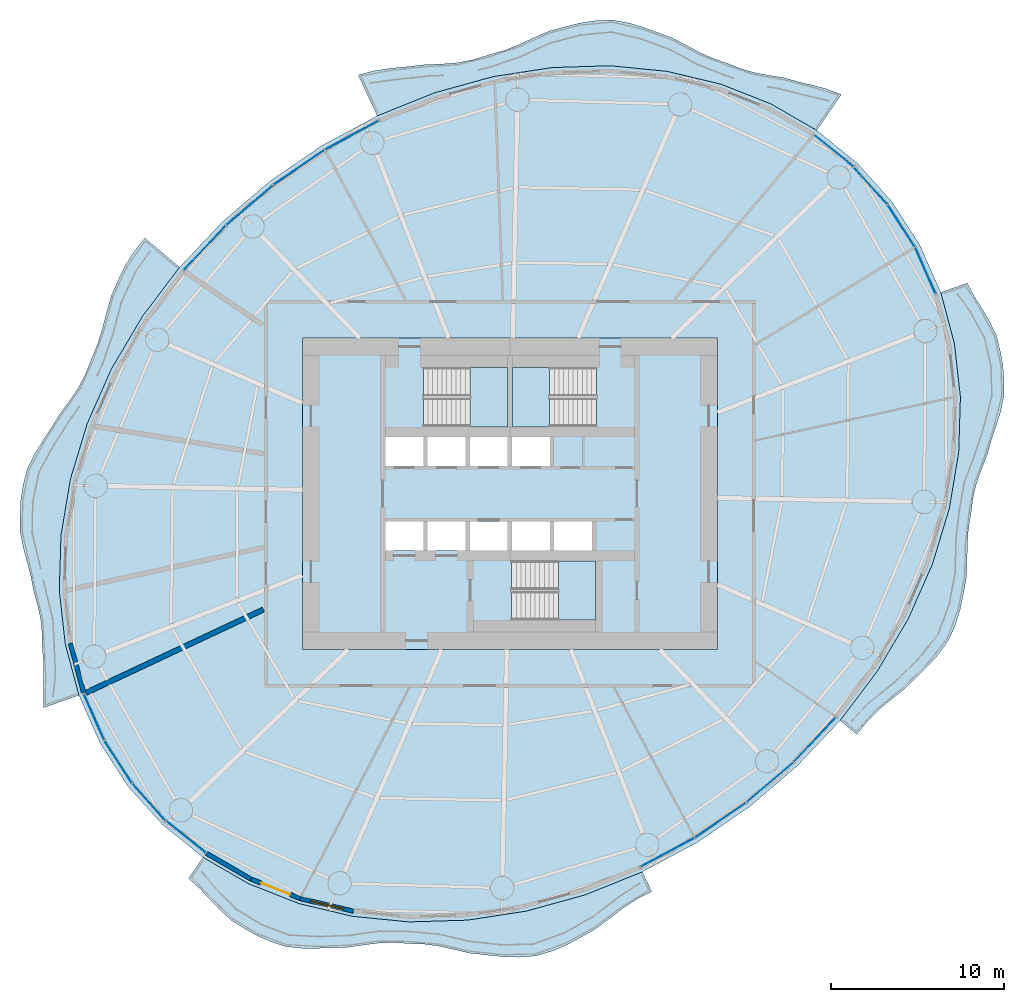
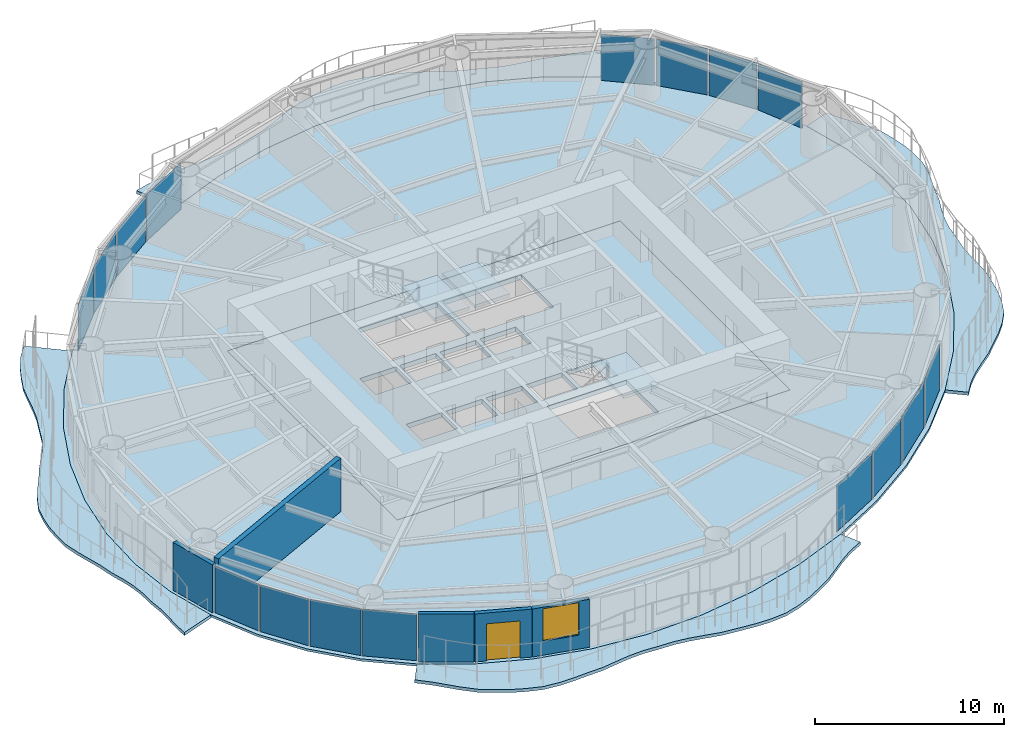
# One storey, part 7 of 15: 16 plates, 9 slabs, 5 walls, 1 door, 1 window, 2 openings, 19 elements without a shape of their own.
"""IFC4 building model written with IfcOpenShell, lengths in metres."""

import ifcopenshell
import ifcopenshell.guid

model = None  # the IFC model being written
_history = None  # IfcOwnerHistory: only IFC2X3 demands one
_inside = {}  # id of a spatial element -> (the spatial element, [elements in it])
_under = {}  # id of a project, library or spatial element -> (it, [spatial elements below it])
_declared = {}  # id of a project -> (the project, [libraries it declares])
_typed = {}  # id of a type object -> (the type object, [elements of that type])
_made_of = {}  # id of a material, layer set ... -> (it, [elements and type objects made of it])


def new_model(schema):
    """Start an empty IFC model of exactly this schema.

    Asked for "IFC4X3", IfcOpenShell would pick the latest addendum, in which some entities
    have other attributes; the version numbers below select the first issue.
    IFC2X3 requires an IfcOwnerHistory on every rooted entity: one is made here for all.
    """
    global model, _history
    if schema == "IFC4X3":
        model = ifcopenshell.file(schema_version=(4, 3, 0, 0))
    else:
        model = ifcopenshell.file(schema=schema)
    _inside.clear()
    _under.clear()
    _declared.clear()
    _typed.clear()
    _made_of.clear()
    _history = None
    if model.schema == "IFC2X3":
        org = make("IfcOrganization", Name="unknown")
        user = make(
            "IfcPersonAndOrganization",
            ThePerson=make("IfcPerson", FamilyName="unknown"),
            TheOrganization=org,
        )
        app = make(
            "IfcApplication",
            ApplicationDeveloper=org,
            Version="unknown",
            ApplicationFullName="unknown",
            ApplicationIdentifier="unknown",
        )
        _history = make(
            "IfcOwnerHistory",
            OwningUser=user,
            OwningApplication=app,
            ChangeAction="ADDED",
            CreationDate=0,
        )
    return model


def make(cls, **values):
    """One entity of the class cls with the attributes given. An attribute that is None is left unset."""
    return model.create_entity(
        cls, **{name: value for name, value in values.items() if value is not None}
    )


def rooted(cls, **values):
    """An entity with a GlobalId (a new one), such as an element, a storey or a relation."""
    return make(cls, GlobalId=ifcopenshell.guid.new(), OwnerHistory=_history, **values)


def si_unit(unit_type, name, prefix=None):
    """IfcSIUnit, for example si_unit("LENGTHUNIT", "METRE", prefix="MILLI")."""
    return make("IfcSIUnit", UnitType=unit_type, Prefix=prefix, Name=name)


def assignment(units):
    """IfcUnitAssignment: the units of a project."""
    return None if units is None else make("IfcUnitAssignment", Units=units)


def point(xyz):
    """IfcCartesianPoint."""
    return None if xyz is None else make("IfcCartesianPoint", Coordinates=xyz)


def direction(xyz):
    """IfcDirection."""
    return None if xyz is None else make("IfcDirection", DirectionRatios=xyz)


def frame(location, z_axis=None, x_axis=None):
    """IfcAxis2Placement3D, a coordinate frame: its origin and axes. An axis left out is left unset."""
    return make(
        "IfcAxis2Placement3D",
        Location=point(location),
        Axis=direction(z_axis),
        RefDirection=direction(x_axis),
    )


def frame_2d(location, x_axis=None):
    """IfcAxis2Placement2D, a coordinate frame in the plane: its origin and x axis."""
    return make(
        "IfcAxis2Placement2D", Location=point(location), RefDirection=direction(x_axis)
    )


def origin():
    """The frame at (0, 0, 0) with its axes left unset."""
    return frame((0.0, 0.0, 0.0))


def origin_2d():
    """The frame at (0, 0) in the plane with its x axis left unset."""
    return frame_2d((0.0, 0.0))


def place(relative_to, where):
    """IfcLocalPlacement: puts the frame where relative to a parent placement (None: the world)."""
    return make(
        "IfcLocalPlacement", PlacementRelTo=relative_to, RelativePlacement=where
    )


def context(
    kind, dimensions, precision=None, world=None, true_north=None, identifier=None
):
    """IfcGeometricRepresentationContext, for example the 3D "Model" context."""
    return make(
        "IfcGeometricRepresentationContext",
        ContextIdentifier=identifier,
        ContextType=kind,
        CoordinateSpaceDimension=dimensions,
        Precision=precision,
        WorldCoordinateSystem=world,
        TrueNorth=true_north,
    )


def subcontext(parent, identifier, kind, view, scale=None):
    """IfcGeometricRepresentationSubContext, for example "Body" below "Model"."""
    return make(
        "IfcGeometricRepresentationSubContext",
        ContextIdentifier=identifier,
        ContextType=kind,
        ParentContext=parent,
        TargetScale=scale,
        TargetView=view,
    )


def project(units=None, contexts=None):
    """IfcProject with its units and contexts."""
    return rooted(
        "IfcProject",
        Name="project",
        RepresentationContexts=contexts,
        UnitsInContext=assignment(units),
    )


def spatial(cls, under=None, at=None, **own):
    """A site, building, storey or space (cls), placed at a placement, below another one or the project."""
    s = rooted(cls, ObjectPlacement=at, **own)
    if under is not None:
        _under.setdefault(under.id(), (under, []))[1].append(s)
    return s


def polyline(points):
    """IfcPolyline through the points."""
    return make("IfcPolyline", Points=[point(p) for p in points])


def profile(cls, at=None, kind="AREA", **sizes):
    """A parametric profile (cls). Its sizes go by their IFC names, for example OverallWidth=200.0."""
    return make(cls, ProfileType=kind, Position=at, **sizes)


def rectangle(**sizes):
    """IfcRectangleProfileDef."""
    return profile("IfcRectangleProfileDef", **sizes)


def outline(outer, holes=None, kind="AREA"):
    """IfcArbitraryClosedProfileDef: a profile drawn as a closed curve; with holes, ...WithVoids."""
    if holes is None:
        return make("IfcArbitraryClosedProfileDef", ProfileType=kind, OuterCurve=outer)
    return make(
        "IfcArbitraryProfileDefWithVoids",
        ProfileType=kind,
        OuterCurve=outer,
        InnerCurves=holes,
    )


def extrude(swept, where, along, depth):
    """IfcExtrudedAreaSolid: the profile swept, set in the frame where, extruded along a direction by depth."""
    return make(
        "IfcExtrudedAreaSolid",
        SweptArea=swept,
        Position=where,
        ExtrudedDirection=direction(along),
        Depth=depth,
    )


def shape(context_of_items, identifier, shape_type, items):
    """IfcShapeRepresentation: the items that make up one representation, for example the "Body"."""
    return make(
        "IfcShapeRepresentation",
        ContextOfItems=context_of_items,
        RepresentationIdentifier=identifier,
        RepresentationType=shape_type,
        Items=items,
    )


def material(Name=None, Category=None):
    """IfcMaterial."""
    return make("IfcMaterial", Name=Name, Category=Category)


def layer(
    of_material, thickness, ventilated=None, Name=None, Category=None, Priority=None
):
    """IfcMaterialLayer: one layer of a wall or slab, of a material (None: an air gap)."""
    return make(
        "IfcMaterialLayer",
        Material=of_material,
        LayerThickness=thickness,
        IsVentilated=ventilated,
        Name=Name,
        Category=Category,
        Priority=Priority,
    )


def layer_set(layers, Name=None):
    """IfcMaterialLayerSet."""
    return make("IfcMaterialLayerSet", MaterialLayers=layers, LayerSetName=Name)


def made_of(thing, what):
    """Note that an element or type object is made of a material, layer set ...; save() writes the relation."""
    if what is not None:
        _made_of.setdefault(what.id(), (what, []))[1].append(thing)
    return thing


def type_object(cls, material=None, **own):
    """A type object (cls), such as IfcWallType, which elements share."""
    return made_of(rooted(cls, **own), material)


def element(
    cls,
    number,
    at=None,
    inside=None,
    cuts=None,
    type_object=None,
    material=None,
    context=None,
    identifier="Body",
    shape_type=None,
    held_by="IfcProductDefinitionShape",
    body=None,
    shapes=None,
    **own,
):
    """One element of the class cls, such as IfcWall. Its Tag is "e" and its number.

    at: its placement. inside: the storey or other place that contains it. cuts: it is an
    opening in that element (IfcRelVoidsElement). A single representation is given by context,
    identifier, shape_type and body (its items); several are given by shapes. held_by: the class
    of the entity that holds the representations. save() writes the other relations.
    """
    e = rooted(cls, Tag="e%d" % number, ObjectPlacement=at, **own)
    if body is not None:
        shapes = [shape(context, identifier, shape_type, body)]
    if shapes is not None:
        e.Representation = make(held_by, Representations=shapes)
    if inside is not None:
        _inside.setdefault(inside.id(), (inside, []))[1].append(e)
    if cuts is not None:
        rooted(
            "IfcRelVoidsElement", RelatingBuildingElement=cuts, RelatedOpeningElement=e
        )
    if type_object is not None:
        _typed.setdefault(type_object.id(), (type_object, []))[1].append(e)
    return made_of(e, material)


def fill(opening, filler):
    """IfcRelFillsElement: the door or window that sits in an opening."""
    return rooted(
        "IfcRelFillsElement",
        RelatingOpeningElement=opening,
        RelatedBuildingElement=filler,
    )


def aggregate(whole, parts):
    """IfcRelAggregates: a whole, such as a stair, and the parts it consists of."""
    return rooted("IfcRelAggregates", RelatingObject=whole, RelatedObjects=parts)


def save(model, path):
    """Write the relations noted so far, then the file.

    IfcRelAggregates (storeys below a building ...), IfcRelContainedInSpatialStructure (elements
    in a storey), IfcRelDefinesByType, IfcRelAssociatesMaterial and IfcRelDeclares: one each for
    every whole, place, type object, material and project.
    """
    for whole, parts in _under.values():
        aggregate(whole, parts)
    for where, things in _inside.values():
        rooted(
            "IfcRelContainedInSpatialStructure",
            RelatedElements=things,
            RelatingStructure=where,
        )
    for kind, things in _typed.values():
        rooted("IfcRelDefinesByType", RelatedObjects=things, RelatingType=kind)
    for what, things in _made_of.values():
        rooted("IfcRelAssociatesMaterial", RelatedObjects=things, RelatingMaterial=what)
    for by, libraries in _declared.values():
        rooted("IfcRelDeclares", RelatingContext=by, RelatedDefinitions=libraries)
    model.write(path)


model = new_model("IFC4")

# Units and contexts
model_context = context("Model", 3, precision=1e-05, world=origin(), true_north=direction((0.0, 1.0)))
body_context = subcontext(model_context, "Body", "Model", "MODEL_VIEW")
ifc_project = project(units=[si_unit("LENGTHUNIT", "METRE"), si_unit("AREAUNIT", "SQUARE_METRE"), si_unit("VOLUMEUNIT", "CUBIC_METRE"), si_unit("PLANEANGLEUNIT", "RADIAN"), si_unit("MASSUNIT", "GRAM", prefix="KILO")], contexts=[model_context])

# Site, building, storey
site_placement = place(None, origin())
site = spatial("IfcSite", under=ifc_project, at=site_placement, CompositionType="ELEMENT")
building_placement = place(site_placement, origin())
building = spatial("IfcBuilding", under=site, at=building_placement, Name="Vermilion Reach Broadcast Tower", CompositionType="ELEMENT")
storey_placement = place(building_placement, frame((0.0, 0.0, 183.0)))
storey = spatial("IfcBuildingStorey", under=building, at=storey_placement, Name="L44", CompositionType="ELEMENT", Elevation=183.0)

# Slabs
ifc_material_1 = material(Name="Concrete C40/50", Category="concrete")
ifc_layer_1 = layer(ifc_material_1, 0.199951171875)
ifc_layer_set_1 = layer_set([ifc_layer_1], Name="Balcony slab 200")
slab_type_1 = type_object("IfcSlabType", Name="Balcony slab 200", PredefinedType="FLOOR", material=ifc_layer_set_1)
placement_1 = place(storey_placement, frame((0.0, 0.0, -0.199951171875)))
element("IfcSlab", 1, at=placement_1, inside=storey, type_object=slab_type_1, Name="Balcony slab L44 group 1", PredefinedType="FLOOR", context=body_context, shape_type="SweptSolid", body=[
    extrude(outline(polyline([(11.749267578125, 21.021240234375), (9.103759765625, 22.552001953125), (6.199951171875, 23.697021484375), (3.08740234375, 24.436767578125), (-0.1806640625, 24.758056640625), (-3.54833984375, 24.656005859375), (-6.957763671875, 24.1318359375), (-10.35107421875, 23.195068359375), (-13.669677734375, 21.861083984375), (-14.775634765625, 24.228515625), (-13.760986328125, 24.486083984375), (-12.850341796875, 24.61767578125), (-11.922607421875, 24.707275390625), (-10.902587890625, 24.82763671875), (-9.899169921875, 24.864990234375), (-9.00732421875, 24.941162109375), (-8.139404296875, 25.10498046875), (-7.2265625, 25.38671875), (-6.318603515625, 25.650390625), (-5.49658203125, 25.97802734375), (-4.681640625, 26.353759765625), (-3.741455078125, 26.762939453125), (-2.77734375, 27.0263671875), (-1.94091796875, 27.232666015625), (-1.102294921875, 27.362060546875), (-0.0908203125, 27.406005859375), (0.8876953125, 27.232666015625), (1.689697265625, 26.998291015625), (2.485595703125, 26.705322265625), (3.410400390625, 26.367919921875), (4.26171875, 25.91943359375), (4.9912109375, 25.529052734375), (5.73291015625, 25.191162109375), (6.5791015625, 24.903564453125), (7.387939453125, 24.58203125), (8.14208984375, 24.367431640625), (8.922119140625, 24.218505859375), (9.8388671875, 24.072998046875), (10.722412109375, 23.823486328125), (11.49951171875, 23.640625), (12.265869140625, 23.439453125), (13.1787109375, 23.102294921875), (11.749267578125, 21.021240234375)])), origin(), (0.0, 0.0, 1.0), 0.199951171875),
])
element("IfcSlab", 2, at=placement_1, inside=storey, type_object=slab_type_1, Name="Balcony slab L44 group 2", PredefinedType="FLOOR", context=body_context, shape_type="SweptSolid", body=[
    extrude(outline(polyline([(-25.103759765625, 13.1064453125), (-27.257080078125, 10.25048828125), (-29.046630859375, 7.21923828125), (-30.44189453125, 4.064453125), (-31.4189453125, 0.840087890625), (-31.961181640625, -2.398681640625), (-32.05908203125, -5.596435546875), (-31.7109375, -8.698486328125), (-30.923095703125, -11.651611328125), (-32.965576171875, -12.36962890625), (-32.9833984375, -11.410400390625), (-32.960205078125, -10.613525390625), (-32.963623046875, -9.823486328125), (-33.041015625, -8.948974609375), (-33.053955078125, -8.06396484375), (-33.13427734375, -7.28759765625), (-33.29345703125, -6.520263671875), (-33.53515625, -5.656494140625), (-33.71142578125, -4.74560546875), (-33.923828125, -3.93896484375), (-34.140380859375, -3.13232421875), (-34.3271484375, -2.16552734375), (-34.331787109375, -1.169677734375), (-34.288818359375, -0.344482421875), (-34.16015625, 0.466552734375), (-33.917724609375, 1.425048828125), (-33.46923828125, 2.34130859375), (-33.011474609375, 3.082763671875), (-32.52490234375, 3.8154296875), (-32.01220703125, 4.64697265625), (-31.424072265625, 5.441650390625), (-30.9404296875, 6.1708984375), (-30.5390625, 6.936279296875), (-30.196533203125, 7.810302734375), (-29.828125, 8.70263671875), (-29.563720703125, 9.568359375), (-29.338134765625, 10.457275390625), (-29.05712890625, 11.455078125), (-28.63525390625, 12.409423828125), (-28.232666015625, 13.225830078125), (-27.755615234375, 13.986083984375), (-27.1083984375, 14.798095703125), (-25.103759765625, 13.1064453125)])), origin(), (0.0, 0.0, 1.0), 0.199951171875),
])
element("IfcSlab", 3, at=placement_1, inside=storey, type_object=slab_type_1, Name="Balcony slab L44 group 3", PredefinedType="FLOOR", context=body_context, shape_type="SweptSolid", body=[
    extrude(outline(polyline([(-23.749267578125, -21.021240234375), (-21.103759765625, -22.552001953125), (-18.199951171875, -23.697021484375), (-15.08740234375, -24.436767578125), (-11.8193359375, -24.758056640625), (-8.45166015625, -24.656005859375), (-5.042236328125, -24.1318359375), (-1.64892578125, -23.195068359375), (1.669677734375, -21.861083984375), (2.202880859375, -23.00244140625), (1.34326171875, -23.446533203125), (0.581298828125, -23.948486328125), (-0.1572265625, -24.509033203125), (-0.992919921875, -25.136962890625), (-1.88525390625, -25.6455078125), (-2.679931640625, -26.07421875), (-3.495849609375, -26.42578125), (-4.487060546875, -26.723876953125), (-5.504150390625, -26.803955078125), (-6.381103515625, -26.774658203125), (-7.267822265625, -26.681884765625), (-8.27587890625, -26.574951171875), (-9.242919921875, -26.3544921875), (-10.09130859375, -26.16748046875), (-10.937744140625, -26.045654296875), (-11.86181640625, -26.01123046875), (-12.76171875, -25.951904296875), (-13.58984375, -25.985107421875), (-14.425048828125, -26.08837890625), (-15.38671875, -26.2265625), (-16.34033203125, -26.24951171875), (-17.171630859375, -26.2890625), (-17.993896484375, -26.2890625), (-18.981689453125, -26.18505859375), (-19.89794921875, -25.875732421875), (-20.612060546875, -25.559814453125), (-21.29833984375, -25.17236328125), (-22.123046875, -24.661376953125), (-22.828857421875, -24.007568359375), (-23.374267578125, -23.424560546875), (-23.9228515625, -22.846923828125), (-24.5859375, -22.239013671875), (-23.749267578125, -21.021240234375)])), origin(), (0.0, 0.0, 1.0), 0.199951171875),
])
element("IfcSlab", 4, at=placement_1, inside=storey, type_object=slab_type_1, Name="Balcony slab L44 group 4", PredefinedType="FLOOR", context=body_context, shape_type="SweptSolid", body=[
    extrude(outline(polyline([(13.103759765625, -13.1064453125), (15.257080078125, -10.25048828125), (17.046630859375, -7.21923828125), (18.44189453125, -4.064453125), (19.4189453125, -0.840087890625), (19.961181640625, 2.398681640625), (20.05908203125, 5.596435546875), (19.7109375, 8.698486328125), (18.923095703125, 11.651611328125), (20.451904296875, 12.18896484375), (20.893310546875, 11.386474609375), (21.314697265625, 10.7080078125), (21.7236328125, 10.0263671875), (22.144287109375, 9.156982421875), (22.3779296875, 8.21240234375), (22.517578125, 7.44287109375), (22.5771484375, 6.664306640625), (22.580322265625, 5.69873046875), (22.375732421875, 4.725341796875), (22.129638671875, 3.9326171875), (21.86279296875, 3.140625), (21.601318359375, 2.237060546875), (21.248779296875, 1.350830078125), (20.97802734375, 0.563720703125), (20.7880859375, -0.23681640625), (20.671875, -1.13330078125), (20.5205078125, -2.053955078125), (20.462646484375, -2.91650390625), (20.449462890625, -3.79248046875), (20.41259765625, -4.795654296875), (20.232421875, -5.79931640625), (20.05419921875, -6.663330078125), (19.802490234375, -7.4951171875), (19.400634765625, -8.429443359375), (18.798095703125, -9.275146484375), (18.198486328125, -9.943115234375), (17.545166015625, -10.579345703125), (16.814697265625, -11.292724609375), (16.00634765625, -11.935302734375), (15.302001953125, -12.524169921875), (14.6630859375, -13.162353515625), (14.063232421875, -13.916259765625), (13.103759765625, -13.1064453125)])), origin(), (0.0, 0.0, 1.0), 0.199951171875),
])
ifc_material_2 = material(Name="Concrete C40", Category="concrete")
ifc_layer_2 = layer(ifc_material_2, 0.300048828125)
ifc_layer_set_2 = layer_set([ifc_layer_2], Name="Core floor slab 300 mm Concrete C40")
slab_type_2 = type_object("IfcSlabType", Name="Core floor slab 300 mm Concrete C40", PredefinedType="FLOOR", material=ifc_layer_set_2)
slab_5_placement = place(storey_placement, frame((0.0, 0.0, -0.300048828125)))
element("IfcSlab", 5, at=slab_5_placement, inside=storey, type_object=slab_type_2, Name="L44 core floor", PredefinedType="FLOOR", context=body_context, shape_type="SweptSolid", body=[
    extrude(outline(polyline([(-18.0, -9.0), (6.0, -9.0), (6.0, 9.0), (-18.0, 9.0), (-18.0, -9.0)]), holes=[polyline([(-13.199951171875, 1.60009765625), (-11.00830078125, 1.60009765625), (-11.00830078125, 3.280029296875), (-13.199951171875, 3.280029296875), (-13.199951171875, 1.60009765625)]), polyline([(-10.75830078125, 1.60009765625), (-8.566650390625, 1.60009765625), (-8.566650390625, 3.280029296875), (-10.75830078125, 3.280029296875), (-10.75830078125, 1.60009765625)]), polyline([(-8.316650390625, 1.60009765625), (-6.125, 1.60009765625), (-6.125, 3.280029296875), (-8.316650390625, 3.280029296875), (-8.316650390625, 1.60009765625)]), polyline([(-5.875, 1.60009765625), (-3.683349609375, 1.60009765625), (-3.683349609375, 3.280029296875), (-5.875, 3.280029296875), (-5.875, 1.60009765625)]), polyline([(-13.199951171875, -3.280029296875), (-11.00830078125, -3.280029296875), (-11.00830078125, -1.60009765625), (-13.199951171875, -1.60009765625), (-13.199951171875, -3.280029296875)]), polyline([(-10.75830078125, -3.280029296875), (-8.566650390625, -3.280029296875), (-8.566650390625, -1.60009765625), (-10.75830078125, -1.60009765625), (-10.75830078125, -3.280029296875)]), polyline([(-8.316650390625, -3.280029296875), (-6.125, -3.280029296875), (-6.125, -1.60009765625), (-8.316650390625, -1.60009765625), (-8.316650390625, -3.280029296875)]), polyline([(-5.875, -3.280029296875), (-3.683349609375, -3.280029296875), (-3.683349609375, -1.60009765625), (-5.875, -1.60009765625), (-5.875, -3.280029296875)]), polyline([(-3.433349609375, -3.280029296875), (-1.24169921875, -3.280029296875), (-1.24169921875, -1.60009765625), (-3.433349609375, -1.60009765625), (-3.433349609375, -3.280029296875)]), polyline([(-10.999267578125, 3.8798828125), (-6.14990234375, 3.8798828125), (-6.14990234375, 7.300048828125), (-10.999267578125, 7.300048828125), (-10.999267578125, 3.8798828125)]), polyline([(-1.000732421875, 7.300048828125), (-5.85009765625, 7.300048828125), (-5.85009765625, 3.8798828125), (-1.000732421875, 3.8798828125), (-1.000732421875, 7.300048828125)]), polyline([(-5.8994140625, -7.300048828125), (-1.050048828125, -7.300048828125), (-1.050048828125, -3.8798828125), (-5.8994140625, -3.8798828125), (-5.8994140625, -7.300048828125)])]), origin(), (0.0, 0.0, 1.0), 0.300048828125),
])

# Stair, slab
ifc_material_3 = material(Name="Concrete C40", Category="concrete")
stair_type = type_object("IfcStairType", Name="Exit stair RC 22 risers 164 mm", PredefinedType="HALF_TURN_STAIR", material=ifc_material_3)
placement_2 = place(storey_placement, origin())
stair_1 = element("IfcStair", 6, at=placement_2, inside=storey, type_object=stair_type, Name="L44 Exit stair ST1", PredefinedType="HALF_TURN_STAIR")
ifc_material_4 = material(Name="Concrete C40", Category="concrete")
ifc_layer_3 = layer(ifc_material_4, 0.199951171875)
ifc_layer_set_3 = layer_set([ifc_layer_3], Name="Exit stair landing Concrete C40")
slab_type_3 = type_object("IfcSlabType", Name="Exit stair landing Concrete C40", PredefinedType="LANDING", material=ifc_layer_set_3)
placement_3 = place(storey_placement, frame((0.0, 0.0, 1.60009765625)))
slab_6 = element("IfcSlab", 7, at=placement_3, type_object=slab_type_3, Name="ST1 landing 1", PredefinedType="LANDING", context=body_context, shape_type="SweptSolid", body=[
    extrude(outline(polyline([(-8.300048828125, 3.8798828125), (-6.14990234375, 3.8798828125), (-6.14990234375, 7.300048828125), (-8.300048828125, 7.300048828125), (-8.300048828125, 3.8798828125)])), origin(), (0.0, 0.0, 1.0), 0.199951171875),
])
aggregate(stair_1, [slab_6])

stair_2 = element("IfcStair", 8, at=placement_2, inside=storey, type_object=stair_type, Name="L44 Exit stair ST2", PredefinedType="HALF_TURN_STAIR")
slab_7 = element("IfcSlab", 9, at=placement_3, type_object=slab_type_3, Name="ST2 landing 1", PredefinedType="LANDING", context=body_context, shape_type="SweptSolid", body=[
    extrude(outline(polyline([(-3.699951171875, 7.300048828125), (-5.85009765625, 7.300048828125), (-5.85009765625, 3.8798828125), (-3.699951171875, 3.8798828125), (-3.699951171875, 7.300048828125)])), origin(), (0.0, 0.0, 1.0), 0.199951171875),
])
aggregate(stair_2, [slab_7])

stair_3 = element("IfcStair", 10, at=placement_2, inside=storey, type_object=stair_type, Name="L44 Exit stair ST3", PredefinedType="HALF_TURN_STAIR")
slab_8 = element("IfcSlab", 11, at=placement_3, type_object=slab_type_3, Name="ST3 landing 1", PredefinedType="LANDING", context=body_context, shape_type="SweptSolid", body=[
    extrude(outline(polyline([(-3.199951171875, -7.300048828125), (-1.050048828125, -7.300048828125), (-1.050048828125, -3.8798828125), (-3.199951171875, -3.8798828125), (-3.199951171875, -7.300048828125)])), origin(), (0.0, 0.0, 1.0), 0.199951171875),
])
aggregate(stair_3, [slab_8])

# Slab
ifc_material_5 = material(Name="Concrete C40", Category="concrete")
ifc_layer_4 = layer(ifc_material_5, 0.14990234375)
ifc_layer_set_4 = layer_set([ifc_layer_4], Name="Floor slab Concrete C40 composite 150")
slab_type_4 = type_object("IfcSlabType", Name="Floor slab Concrete C40 composite 150", PredefinedType="FLOOR", material=ifc_layer_set_4)
slab_9_placement = place(storey_placement, frame((0.0, 0.0, -0.14990234375)))
element("IfcSlab", 12, at=slab_9_placement, inside=storey, type_object=slab_type_4, Name="Floor slab L44", PredefinedType="FLOOR", context=body_context, shape_type="SweptSolid", body=[
    extrude(outline(polyline([(16.0888671875, 16.91259765625), (14.0908203125, 19.130615234375), (11.749267578125, 21.021240234375), (9.103759765625, 22.552001953125), (6.199951171875, 23.697021484375), (3.08740234375, 24.436767578125), (-0.1806640625, 24.758056640625), (-3.54833984375, 24.656005859375), (-6.957763671875, 24.1318359375), (-10.35107421875, 23.195068359375), (-13.669677734375, 21.861083984375), (-16.857177734375, 20.1533203125), (-19.85888671875, 18.1005859375), (-22.62353515625, 15.73828125), (-25.103759765625, 13.1064453125), (-27.257080078125, 10.25048828125), (-29.046630859375, 7.21923828125), (-30.44189453125, 4.064453125), (-31.4189453125, 0.840087890625), (-31.961181640625, -2.398681640625), (-32.05908203125, -5.596435546875), (-31.7109375, -8.698486328125), (-30.923095703125, -11.651611328125), (-29.708740234375, -14.4052734375), (-28.0888671875, -16.91259765625), (-26.0908203125, -19.130615234375), (-23.749267578125, -21.021240234375), (-21.103759765625, -22.552001953125), (-18.199951171875, -23.697021484375), (-15.08740234375, -24.436767578125), (-11.8193359375, -24.758056640625), (-8.45166015625, -24.656005859375), (-5.042236328125, -24.1318359375), (-1.64892578125, -23.195068359375), (1.669677734375, -21.861083984375), (4.857177734375, -20.1533203125), (7.85888671875, -18.1005859375), (10.62353515625, -15.73828125), (13.103759765625, -13.1064453125), (15.257080078125, -10.25048828125), (17.046630859375, -7.21923828125), (18.44189453125, -4.064453125), (19.4189453125, -0.840087890625), (19.961181640625, 2.398681640625), (20.05908203125, 5.596435546875), (19.7109375, 8.698486328125), (18.923095703125, 11.651611328125), (17.708740234375, 14.4052734375), (16.0888671875, 16.91259765625)]), holes=[polyline([(-18.0, -9.0), (6.0, -9.0), (6.0, 9.0), (-18.0, 9.0), (-18.0, -9.0)])]), origin(), (0.0, 0.0, 1.0), 0.14990234375),
])

# Curtain wall, plate
ifc_material_6 = material(Name="Low-e laminated clear glass in aluminium frame", Category="aluminium")
curtain_wall_type = type_object("IfcCurtainWallType", Name="Slot curtain wall", PredefinedType="NOTDEFINED", material=ifc_material_6)
curtain_wall_1 = element("IfcCurtainWall", 13, at=placement_2, inside=storey, type_object=curtain_wall_type, Name="Slot curtain wall L44 46", PredefinedType="NOTDEFINED")
ifc_material_7 = material(Name="Low-e laminated clear glass", Category="glass")
ifc_layer_5 = layer(ifc_material_7, 0.028076171875)
ifc_layer_set_5 = layer_set([ifc_layer_5], Name="Slot glass panel")
plate_type = type_object("IfcPlateType", Name="Slot glass panel", PredefinedType="CURTAIN_PANEL", material=ifc_layer_set_5)
plate_1_placement = place(storey_placement, frame((18.04248046875, 12.90771484375, 0.0), z_axis=(0.0, 0.0, 1.0), x_axis=(-0.403472793563, 0.914991641959, 0.0)))
plate_1 = element("IfcPlate", 14, at=plate_1_placement, type_object=plate_type, Name="Slot glass panel L44 46", PredefinedType="CURTAIN_PANEL", context=body_context, shape_type="SweptSolid", body=[
    extrude(rectangle(XDim=2.882568359375, YDim=0.028076171875, at=origin_2d()), origin(), (0.0, 0.0, 1.0), 3.0),
])
aggregate(curtain_wall_1, [plate_1])

curtain_wall_2 = element("IfcCurtainWall", 15, at=placement_2, inside=storey, type_object=curtain_wall_type, Name="Slot curtain wall L44 47", PredefinedType="NOTDEFINED")
plate_2_placement = place(storey_placement, frame((16.647705078125, 15.49658203125, 0.0), z_axis=(0.0, 0.0, 1.0), x_axis=(-0.542687256366, 0.839934843769, 0.0)))
plate_2 = element("IfcPlate", 16, at=plate_2_placement, type_object=plate_type, Name="Slot glass panel L44 47", PredefinedType="CURTAIN_PANEL", context=body_context, shape_type="SweptSolid", body=[
    extrude(rectangle(XDim=2.857421875, YDim=0.028076171875, at=origin_2d()), origin(), (0.0, 0.0, 1.0), 3.0),
])
aggregate(curtain_wall_2, [plate_2])

curtain_wall_3 = element("IfcCurtainWall", 17, at=placement_2, inside=storey, type_object=curtain_wall_type, Name="Slot curtain wall L44 00", PredefinedType="NOTDEFINED")
plate_3_placement = place(storey_placement, frame((14.86767578125, 17.821533203125, 0.0), z_axis=(0.0, 0.0, 1.0), x_axis=(-0.669302225522, 0.742990262999, 0.0)))
plate_3 = element("IfcPlate", 18, at=plate_3_placement, type_object=plate_type, Name="Slot glass panel L44 00", PredefinedType="CURTAIN_PANEL", context=body_context, shape_type="SweptSolid", body=[
    extrude(rectangle(XDim=2.857421875, YDim=0.028076171875, at=origin_2d()), origin(), (0.0, 0.0, 1.0), 3.0),
])
aggregate(curtain_wall_3, [plate_3])

curtain_wall_4 = element("IfcCurtainWall", 19, at=placement_2, inside=storey, type_object=curtain_wall_type, Name="Slot curtain wall L44 01", PredefinedType="NOTDEFINED")
plate_4_placement = place(storey_placement, frame((12.732177734375, 19.84326171875, 0.0), z_axis=(0.0, 0.0, 1.0), x_axis=(-0.778073719959, 0.628172974831, 0.0)))
plate_4 = element("IfcPlate", 20, at=plate_4_placement, type_object=plate_type, Name="Slot glass panel L44 01", PredefinedType="CURTAIN_PANEL", context=body_context, shape_type="SweptSolid", body=[
    extrude(rectangle(XDim=2.882568359375, YDim=0.028076171875, at=origin_2d()), origin(), (0.0, 0.0, 1.0), 3.0),
])
aggregate(curtain_wall_4, [plate_4])

curtain_wall_5 = element("IfcCurtainWall", 21, at=placement_2, inside=storey, type_object=curtain_wall_type, Name="Slot curtain wall L44 10", PredefinedType="NOTDEFINED")
plate_5_placement = place(storey_placement, frame((-15.1220703125, 20.7431640625, 0.0), z_axis=(0.0, 0.0, 1.0), x_axis=(-0.881448170823, -0.472280766233, 0.0)))
plate_5 = element("IfcPlate", 22, at=plate_5_placement, type_object=plate_type, Name="Slot glass panel L44 10", PredefinedType="CURTAIN_PANEL", context=body_context, shape_type="SweptSolid", body=[
    extrude(rectangle(XDim=3.503662109375, YDim=0.028076171875, at=origin_2d()), origin(), (0.0, 0.0, 1.0), 3.0),
])
aggregate(curtain_wall_5, [plate_5])

curtain_wall_6 = element("IfcCurtainWall", 23, at=placement_2, inside=storey, type_object=curtain_wall_type, Name="Slot curtain wall L44 11", PredefinedType="NOTDEFINED")
plate_6_placement = place(storey_placement, frame((-18.18896484375, 18.879638671875, 0.0), z_axis=(0.0, 0.0, 1.0), x_axis=(-0.82545167822, -0.5644727867, 0.0)))
plate_6 = element("IfcPlate", 24, at=plate_6_placement, type_object=plate_type, Name="Slot glass panel L44 11", PredefinedType="CURTAIN_PANEL", context=body_context, shape_type="SweptSolid", body=[
    extrude(rectangle(XDim=3.524169921875, YDim=0.028076171875, at=origin_2d()), origin(), (0.0, 0.0, 1.0), 3.0),
])
aggregate(curtain_wall_6, [plate_6])

curtain_wall_7 = element("IfcCurtainWall", 25, at=placement_2, inside=storey, type_object=curtain_wall_type, Name="Slot curtain wall L44 12", PredefinedType="NOTDEFINED")
plate_7_placement = place(storey_placement, frame((-21.046630859375, 16.691650390625, 0.0), z_axis=(0.0, 0.0, 1.0), x_axis=(-0.760243774618, -0.649637901569, 0.0)))
plate_7 = element("IfcPlate", 26, at=plate_7_placement, type_object=plate_type, Name="Slot glass panel L44 12", PredefinedType="CURTAIN_PANEL", context=body_context, shape_type="SweptSolid", body=[
    extrude(rectangle(XDim=3.524169921875, YDim=0.028076171875, at=origin_2d()), origin(), (0.0, 0.0, 1.0), 3.0),
])
aggregate(curtain_wall_7, [plate_7])

curtain_wall_8 = element("IfcCurtainWall", 27, at=placement_2, inside=storey, type_object=curtain_wall_type, Name="Slot curtain wall L44 13", PredefinedType="NOTDEFINED")
plate_8_placement = place(storey_placement, frame((-23.645751953125, 14.217041015625, 0.0), z_axis=(0.0, 0.0, 1.0), x_axis=(-0.685849545259, -0.727743362229, 0.0)))
plate_8 = element("IfcPlate", 28, at=plate_8_placement, type_object=plate_type, Name="Slot glass panel L44 13", PredefinedType="CURTAIN_PANEL", context=body_context, shape_type="SweptSolid", body=[
    extrude(rectangle(XDim=3.503662109375, YDim=0.028076171875, at=origin_2d()), origin(), (0.0, 0.0, 1.0), 3.0),
])
aggregate(curtain_wall_8, [plate_8])

curtain_wall_9 = element("IfcCurtainWall", 29, at=placement_2, inside=storey, type_object=curtain_wall_type, Name="Slot curtain wall L44 22", PredefinedType="NOTDEFINED")
plate_9_placement = place(storey_placement, frame((-30.04248046875, -12.90771484375, 0.0), z_axis=(0.0, 0.0, 1.0), x_axis=(0.403472793563, -0.914991641959, 0.0)))
plate_9 = element("IfcPlate", 30, at=plate_9_placement, type_object=plate_type, Name="Slot glass panel L44 22", PredefinedType="CURTAIN_PANEL", context=body_context, shape_type="SweptSolid", body=[
    extrude(rectangle(XDim=2.882568359375, YDim=0.028076171875, at=origin_2d()), origin(), (0.0, 0.0, 1.0), 3.0),
])
aggregate(curtain_wall_9, [plate_9])

curtain_wall_10 = element("IfcCurtainWall", 31, at=placement_2, inside=storey, type_object=curtain_wall_type, Name="Slot curtain wall L44 23", PredefinedType="NOTDEFINED")
plate_10_placement = place(storey_placement, frame((-28.647705078125, -15.49658203125, 0.0), z_axis=(0.0, 0.0, 1.0), x_axis=(0.542687256366, -0.839934843769, 0.0)))
plate_10 = element("IfcPlate", 32, at=plate_10_placement, type_object=plate_type, Name="Slot glass panel L44 23", PredefinedType="CURTAIN_PANEL", context=body_context, shape_type="SweptSolid", body=[
    extrude(rectangle(XDim=2.857421875, YDim=0.028076171875, at=origin_2d()), origin(), (0.0, 0.0, 1.0), 3.0),
])
aggregate(curtain_wall_10, [plate_10])

curtain_wall_11 = element("IfcCurtainWall", 33, at=placement_2, inside=storey, type_object=curtain_wall_type, Name="Slot curtain wall L44 24", PredefinedType="NOTDEFINED")
plate_11_placement = place(storey_placement, frame((-26.86767578125, -17.821533203125, 0.0), z_axis=(0.0, 0.0, 1.0), x_axis=(0.669302225522, -0.742990262999, 0.0)))
plate_11 = element("IfcPlate", 34, at=plate_11_placement, type_object=plate_type, Name="Slot glass panel L44 24", PredefinedType="CURTAIN_PANEL", context=body_context, shape_type="SweptSolid", body=[
    extrude(rectangle(XDim=2.857421875, YDim=0.028076171875, at=origin_2d()), origin(), (0.0, 0.0, 1.0), 3.0),
])
aggregate(curtain_wall_11, [plate_11])

curtain_wall_12 = element("IfcCurtainWall", 35, at=placement_2, inside=storey, type_object=curtain_wall_type, Name="Slot curtain wall L44 25", PredefinedType="NOTDEFINED")
plate_12_placement = place(storey_placement, frame((-24.732177734375, -19.84326171875, 0.0), z_axis=(0.0, 0.0, 1.0), x_axis=(0.778073719959, -0.628172974831, 0.0)))
plate_12 = element("IfcPlate", 36, at=plate_12_placement, type_object=plate_type, Name="Slot glass panel L44 25", PredefinedType="CURTAIN_PANEL", context=body_context, shape_type="SweptSolid", body=[
    extrude(rectangle(XDim=2.882568359375, YDim=0.028076171875, at=origin_2d()), origin(), (0.0, 0.0, 1.0), 3.0),
])
aggregate(curtain_wall_12, [plate_12])

curtain_wall_13 = element("IfcCurtainWall", 37, at=placement_2, inside=storey, type_object=curtain_wall_type, Name="Slot curtain wall L44 34", PredefinedType="NOTDEFINED")
plate_13_placement = place(storey_placement, frame((3.1220703125, -20.7431640625, 0.0), z_axis=(0.0, 0.0, 1.0), x_axis=(0.881448170823, 0.472280766233, 0.0)))
plate_13 = element("IfcPlate", 38, at=plate_13_placement, type_object=plate_type, Name="Slot glass panel L44 34", PredefinedType="CURTAIN_PANEL", context=body_context, shape_type="SweptSolid", body=[
    extrude(rectangle(XDim=3.503662109375, YDim=0.028076171875, at=origin_2d()), origin(), (0.0, 0.0, 1.0), 3.0),
])
aggregate(curtain_wall_13, [plate_13])

curtain_wall_14 = element("IfcCurtainWall", 39, at=placement_2, inside=storey, type_object=curtain_wall_type, Name="Slot curtain wall L44 35", PredefinedType="NOTDEFINED")
plate_14_placement = place(storey_placement, frame((6.18896484375, -18.879638671875, 0.0), z_axis=(0.0, 0.0, 1.0), x_axis=(0.82545167822, 0.5644727867, 0.0)))
plate_14 = element("IfcPlate", 40, at=plate_14_placement, type_object=plate_type, Name="Slot glass panel L44 35", PredefinedType="CURTAIN_PANEL", context=body_context, shape_type="SweptSolid", body=[
    extrude(rectangle(XDim=3.524169921875, YDim=0.028076171875, at=origin_2d()), origin(), (0.0, 0.0, 1.0), 3.0),
])
aggregate(curtain_wall_14, [plate_14])

curtain_wall_15 = element("IfcCurtainWall", 41, at=placement_2, inside=storey, type_object=curtain_wall_type, Name="Slot curtain wall L44 36", PredefinedType="NOTDEFINED")
plate_15_placement = place(storey_placement, frame((9.046630859375, -16.691650390625, 0.0), z_axis=(0.0, 0.0, 1.0), x_axis=(0.760243774618, 0.649637901569, 0.0)))
plate_15 = element("IfcPlate", 42, at=plate_15_placement, type_object=plate_type, Name="Slot glass panel L44 36", PredefinedType="CURTAIN_PANEL", context=body_context, shape_type="SweptSolid", body=[
    extrude(rectangle(XDim=3.524169921875, YDim=0.028076171875, at=origin_2d()), origin(), (0.0, 0.0, 1.0), 3.0),
])
aggregate(curtain_wall_15, [plate_15])

curtain_wall_16 = element("IfcCurtainWall", 43, at=placement_2, inside=storey, type_object=curtain_wall_type, Name="Slot curtain wall L44 37", PredefinedType="NOTDEFINED")
plate_16_placement = place(storey_placement, frame((11.645751953125, -14.217041015625, 0.0), z_axis=(0.0, 0.0, 1.0), x_axis=(0.685849545259, 0.727743362229, 0.0)))
plate_16 = element("IfcPlate", 44, at=plate_16_placement, type_object=plate_type, Name="Slot glass panel L44 37", PredefinedType="CURTAIN_PANEL", context=body_context, shape_type="SweptSolid", body=[
    extrude(rectangle(XDim=3.503662109375, YDim=0.028076171875, at=origin_2d()), origin(), (0.0, 0.0, 1.0), 3.0),
])
aggregate(curtain_wall_16, [plate_16])

# Walls
ifc_material_8 = material(Name="Double-leaf plasterboard on isolated steel stud", Category="steel")
ifc_layer_6 = layer(ifc_material_8, 0.300048828125)
ifc_layer_set_6 = layer_set([ifc_layer_6], Name="Partition 300 acoustic double leaf")
wall_type_1 = type_object("IfcWallType", Name="Partition 300 acoustic double leaf", PredefinedType="PARTITIONING", material=ifc_layer_set_6)
wall_1_placement = place(storey_placement, frame((-30.522216796875, -11.510986328125, 0.0), z_axis=(0.0, 0.0, 1.0), x_axis=(0.905230348608, 0.424921187938, 0.0)))
element("IfcWall", 45, at=wall_1_placement, inside=storey, type_object=wall_type_1, Name="Partition 44.07", PredefinedType="PARTITIONING", context=body_context, shape_type="SweptSolid", body=[
    extrude(rectangle(XDim=11.33251953125, YDim=0.300048828125, at=frame_2d((5.666259765625, 0.0))), origin(), (0.0, 0.0, 1.0), 3.449951171875),
])
ifc_material_9 = material(Name="Terracotta rainscreen cladding", Category="masonry")
ifc_layer_7 = layer(ifc_material_9, 0.25)
ifc_layer_set_7 = layer_set([ifc_layer_7], Name="Terracotta rainscreen wall 250")
wall_type_2 = type_object("IfcWallType", Name="Terracotta rainscreen wall 250", PredefinedType="SOLIDWALL", material=ifc_layer_set_7)
wall_2_placement = place(storey_placement, frame((-31.412841796875, -8.656005859375, 0.0), z_axis=(0.0, 0.0, 1.0), x_axis=(0.257791752942, -0.966200503061, 0.0)))
element("IfcWall", 46, at=wall_2_placement, inside=storey, type_object=wall_type_2, Name="External wall L44 21", PredefinedType="SOLIDWALL", context=body_context, shape_type="SweptSolid", body=[
    extrude(rectangle(XDim=2.9423828125, YDim=0.25, at=frame_2d((1.47119140625, 0.0))), origin(), (0.0, 0.0, 1.0), 3.10009765625),
])
wall_3_placement = place(storey_placement, frame((-23.531982421875, -20.80126953125, 0.0), z_axis=(0.0, 0.0, 1.0), x_axis=(0.865519049877, -0.500876006912, 0.0)))
element("IfcWall", 47, at=wall_3_placement, inside=storey, type_object=wall_type_2, Name="External wall L44 26", PredefinedType="SOLIDWALL", context=body_context, shape_type="SweptSolid", body=[
    extrude(rectangle(XDim=2.942626953125, YDim=0.25, at=frame_2d((1.47119140625, 0.0))), origin(), (0.0, 0.0, 1.0), 3.10009765625),
])

# Wall, opening, door
wall_4_placement = place(storey_placement, frame((-20.961181640625, -22.28662109375, 0.0), z_axis=(0.0, 0.0, 1.0), x_axis=(0.930291773294, -0.366820414564, 0.0)))
wall_4 = element("IfcWall", 48, at=wall_4_placement, inside=storey, type_object=wall_type_2, Name="External wall L44 27", PredefinedType="SOLIDWALL", context=body_context, shape_type="SweptSolid", body=[
    extrude(rectangle(XDim=3.051513671875, YDim=0.25, at=frame_2d((1.52587890625, 0.0))), origin(), (0.0, 0.0, 1.0), 3.10009765625),
])
opening_1_placement = place(wall_4_placement, frame((0.6259765625, 0.0, 0.0)))
opening_1 = element("IfcOpeningElement", 49, at=opening_1_placement, cuts=wall_4, Name="Opening D70", PredefinedType="OPENING", context=body_context, shape_type="SweptSolid", body=[
    extrude(rectangle(XDim=1.800048828125, YDim=2.39990234375, at=frame_2d((0.89990234375, 1.199951171875))), frame((0.0, 0.135009765625, 0.0), z_axis=(0.0, -1.0, 0.0), x_axis=(1.0, 0.0, 0.0)), (0.0, 0.0, 1.0), 0.27001953125),
])
ifc_material_10 = material(Name="Low-e laminated clear glass in aluminium frame", Category="aluminium")
door_type = type_object("IfcDoorType", Name="Balcony sliding door 1800 x 2400", OperationType="DOUBLE_DOOR_SLIDING", PredefinedType="DOOR", material=ifc_material_10)
door_placement = place(opening_1_placement, origin())
door = element("IfcDoor", 50, at=door_placement, inside=storey, type_object=door_type, Name="Balcony door L44 run 07", OperationType="DOUBLE_DOOR_SLIDING", OverallHeight=2.39990234375, OverallWidth=1.800048828125, PredefinedType="DOOR", context=body_context, shape_type="SweptSolid", body=[
    extrude(rectangle(XDim=1.800048828125, YDim=2.39990234375, at=frame_2d((0.89990234375, 1.199951171875))), frame((0.0, 0.02490234375, 0.0), z_axis=(0.0, -1.0, 0.0), x_axis=(1.0, 0.0, 0.0)), (0.0, 0.0, 1.0), 0.050048828125),
])
fill(opening_1, door)

# Wall, opening, window
wall_5_placement = place(storey_placement, frame((-18.097900390625, -23.413818359375, 0.0), z_axis=(0.0, 0.0, 1.0), x_axis=(0.972913986276, -0.231167418353, 0.0)))
wall_5 = element("IfcWall", 51, at=wall_5_placement, inside=storey, type_object=wall_type_2, Name="External wall L44 28", PredefinedType="SOLIDWALL", context=body_context, shape_type="SweptSolid", body=[
    extrude(rectangle(XDim=3.132568359375, YDim=0.25, at=frame_2d((1.56640625, 0.0))), origin(), (0.0, 0.0, 1.0), 3.10009765625),
])
opening_2_placement = place(wall_5_placement, frame((0.566162109375, 0.0, 0.89990234375)))
opening_2 = element("IfcOpeningElement", 52, at=opening_2_placement, cuts=wall_5, Name="Opening W03", PredefinedType="OPENING", context=body_context, shape_type="SweptSolid", body=[
    extrude(rectangle(XDim=2.0, YDim=2.10009765625, at=frame_2d((1.0, 1.050048828125))), frame((0.0, 0.135009765625, 0.0), z_axis=(0.0, -1.0, 0.0), x_axis=(1.0, 0.0, 0.0)), (0.0, 0.0, 1.0), 0.27001953125),
])
ifc_material_11 = material(Name="Low-e laminated clear glass in aluminium frame", Category="aluminium")
window_type = type_object("IfcWindowType", Name="Punched window 2000 x 2100 sill 900", PartitioningType="SINGLE_PANEL", PredefinedType="WINDOW", material=ifc_material_11)
window_placement = place(opening_2_placement, origin())
window = element("IfcWindow", 53, at=window_placement, inside=storey, type_object=window_type, Name="Window L44 28", OverallHeight=2.10009765625, OverallWidth=2.0, PartitioningType="SINGLE_PANEL", PredefinedType="WINDOW", context=body_context, shape_type="SweptSolid", body=[
    extrude(rectangle(XDim=2.0, YDim=2.10009765625, at=frame_2d((1.0, 1.050048828125))), frame((0.0, 0.030029296875, 0.0), z_axis=(0.0, -1.0, 0.0), x_axis=(1.0, 0.0, 0.0)), (0.0, 0.0, 1.0), 0.06005859375),
])
fill(opening_2, window)

save(model, "model.ifc")
